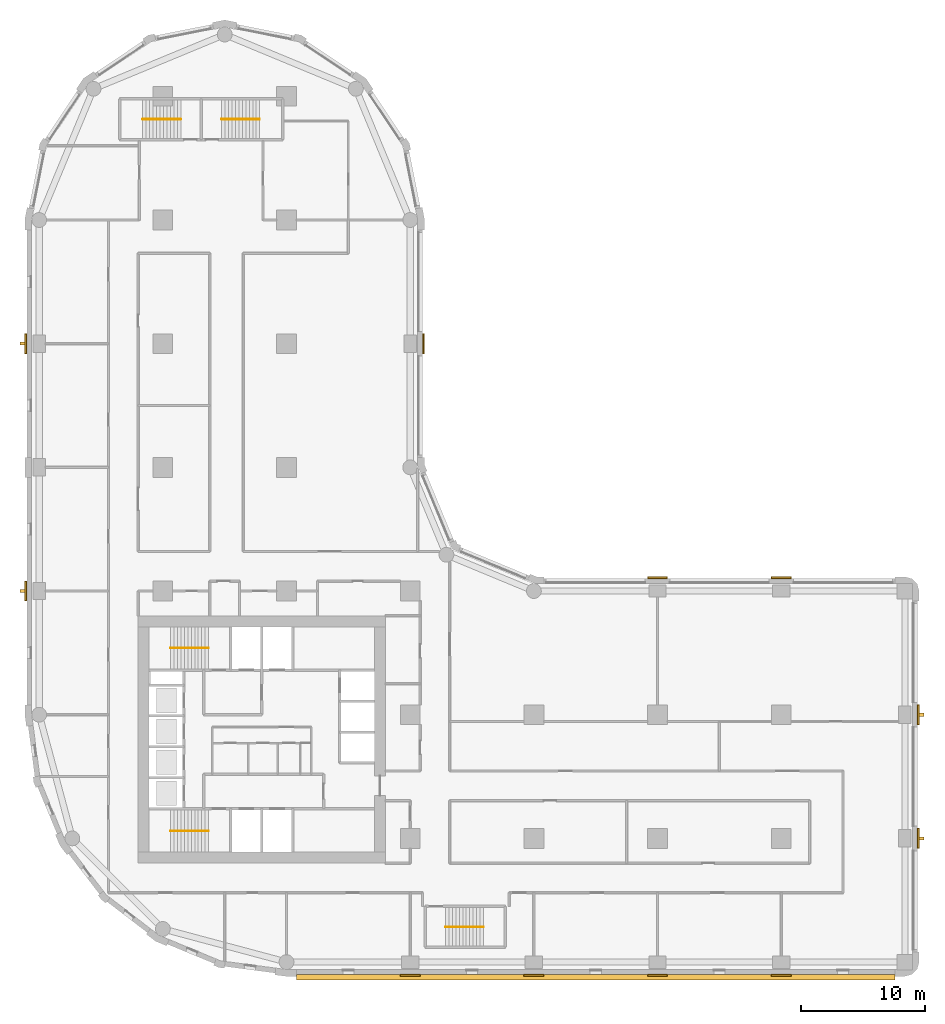
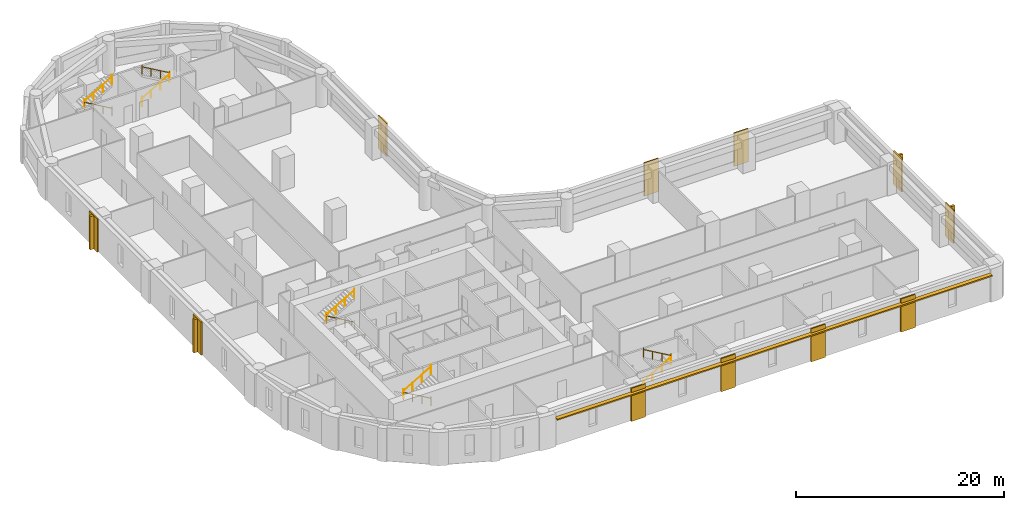
# One storey, part 10 of 11: 11 coverings, 10 railings, 5 shading devices.
"""IFC4 building model written with IfcOpenShell, lengths in metres."""

from ifc_helpers import new_model, si_unit, direction, frame, origin, origin_2d, place, context, subcontext, project, spatial, polyline, rectangle, circle, outline, extrude, material, layer, layer_set, type_object, element, save


model = new_model("IFC4")

# Units and contexts
model_context = context("Model", 3, precision=1e-05, world=origin(), true_north=direction((0.0, 1.0)))
body_context = subcontext(model_context, "Body", "Model", "MODEL_VIEW")
ifc_project = project(units=[si_unit("LENGTHUNIT", "METRE"), si_unit("AREAUNIT", "SQUARE_METRE"), si_unit("VOLUMEUNIT", "CUBIC_METRE"), si_unit("PLANEANGLEUNIT", "RADIAN"), si_unit("MASSUNIT", "GRAM", prefix="KILO")], contexts=[model_context])

# Site, building, storey
site_placement = place(None, origin())
site = spatial("IfcSite", under=ifc_project, at=site_placement, CompositionType="ELEMENT")
building_placement = place(site_placement, origin())
building = spatial("IfcBuilding", under=site, at=building_placement, Name="Qaws Garden Tower", CompositionType="ELEMENT")
storey_placement = place(building_placement, frame((0.0, 0.0, 31.5)))
storey = spatial("IfcBuildingStorey", under=building, at=storey_placement, Name="L07", CompositionType="ELEMENT", Elevation=31.5)

# Coverings
ifc_material_1 = material(Name="Clay facing brick masonry", Category="masonry")
ifc_layer_1 = layer(ifc_material_1, 0.14990234375)
ifc_layer_set_1 = layer_set([ifc_layer_1], Name="Clay facing brick masonry")
covering_type = type_object("IfcCoveringType", Name="Brick pilaster facing 150 x 1600", PredefinedType="CLADDING", material=ifc_layer_set_1)
placement = place(storey_placement, origin())
element("IfcCovering", 1, at=placement, inside=storey, type_object=covering_type, Name="E-L07-pier-01", PredefinedType="CLADDING", context=body_context, shape_type="SweptSolid", body=[
    extrude(outline(polyline([(29.199951171875, -1.0), (30.800048828125, -1.0), (30.800048828125, -1.14990234375), (29.199951171875, -1.14990234375), (29.199951171875, -1.0)])), origin(), (0.0, 0.0, 1.0), 3.89990234375),
])
element("IfcCovering", 2, at=placement, inside=storey, type_object=covering_type, Name="E-L07-pier-02", PredefinedType="CLADDING", context=body_context, shape_type="SweptSolid", body=[
    extrude(outline(polyline([(39.199951171875, -1.0), (40.800048828125, -1.0), (40.800048828125, -1.14990234375), (39.199951171875, -1.14990234375), (39.199951171875, -1.0)])), origin(), (0.0, 0.0, 1.0), 3.89990234375),
])
element("IfcCovering", 3, at=placement, inside=storey, type_object=covering_type, Name="E-L07-pier-03", PredefinedType="CLADDING", context=body_context, shape_type="SweptSolid", body=[
    extrude(outline(polyline([(49.199951171875, -1.0), (50.800048828125, -1.0), (50.800048828125, -1.14990234375), (49.199951171875, -1.14990234375), (49.199951171875, -1.0)])), origin(), (0.0, 0.0, 1.0), 3.89990234375),
])
element("IfcCovering", 4, at=placement, inside=storey, type_object=covering_type, Name="E-L07-pier-04", PredefinedType="CLADDING", context=body_context, shape_type="SweptSolid", body=[
    extrude(outline(polyline([(59.199951171875, -1.0), (60.800048828125, -1.0), (60.800048828125, -1.14990234375), (59.199951171875, -1.14990234375), (59.199951171875, -1.0)])), origin(), (0.0, 0.0, 1.0), 3.89990234375),
])
element("IfcCovering", 5, at=placement, inside=storey, type_object=covering_type, Name="E-L07-pier-06", PredefinedType="CLADDING", context=body_context, shape_type="SweptSolid", body=[
    extrude(outline(polyline([(71.0, 9.199951171875), (71.0, 10.800048828125), (71.14990234375, 10.800048828125), (71.14990234375, 9.199951171875), (71.0, 9.199951171875)])), origin(), (0.0, 0.0, 1.0), 3.89990234375),
])
element("IfcCovering", 6, at=placement, inside=storey, type_object=covering_type, Name="E-L07-pier-07", PredefinedType="CLADDING", context=body_context, shape_type="SweptSolid", body=[
    extrude(outline(polyline([(71.0, 19.199951171875), (71.0, 20.800048828125), (71.14990234375, 20.800048828125), (71.14990234375, 19.199951171875), (71.0, 19.199951171875)])), origin(), (0.0, 0.0, 1.0), 3.89990234375),
])
element("IfcCovering", 7, at=placement, inside=storey, type_object=covering_type, Name="E-L07-pier-09", PredefinedType="CLADDING", context=body_context, shape_type="SweptSolid", body=[
    extrude(outline(polyline([(60.800048828125, 31.0), (59.199951171875, 31.0), (59.199951171875, 31.14990234375), (60.800048828125, 31.14990234375), (60.800048828125, 31.0)])), origin(), (0.0, 0.0, 1.0), 3.89990234375),
])
element("IfcCovering", 8, at=placement, inside=storey, type_object=covering_type, Name="E-L07-pier-10", PredefinedType="CLADDING", context=body_context, shape_type="SweptSolid", body=[
    extrude(outline(polyline([(50.800048828125, 31.0), (49.199951171875, 31.0), (49.199951171875, 31.14990234375), (50.800048828125, 31.14990234375), (50.800048828125, 31.0)])), origin(), (0.0, 0.0, 1.0), 3.89990234375),
])
element("IfcCovering", 9, at=placement, inside=storey, type_object=covering_type, Name="E-L07-pier-14", PredefinedType="CLADDING", context=body_context, shape_type="SweptSolid", body=[
    extrude(outline(polyline([(31.0, 49.199951171875), (31.0, 50.800048828125), (31.14990234375, 50.800048828125), (31.14990234375, 49.199951171875), (31.0, 49.199951171875)])), origin(), (0.0, 0.0, 1.0), 3.89990234375),
])
element("IfcCovering", 10, at=placement, inside=storey, type_object=covering_type, Name="E-L07-pier-24", PredefinedType="CLADDING", context=body_context, shape_type="SweptSolid", body=[
    extrude(outline(polyline([(-1.0, 50.800048828125), (-1.0, 49.199951171875), (-1.14990234375, 49.199951171875), (-1.14990234375, 50.800048828125), (-1.0, 50.800048828125)])), origin(), (0.0, 0.0, 1.0), 3.89990234375),
])
element("IfcCovering", 11, at=placement, inside=storey, type_object=covering_type, Name="E-L07-pier-26", PredefinedType="CLADDING", context=body_context, shape_type="SweptSolid", body=[
    extrude(outline(polyline([(-1.0, 30.800048828125), (-1.0, 29.199951171875), (-1.14990234375, 29.199951171875), (-1.14990234375, 30.800048828125), (-1.0, 30.800048828125)])), origin(), (0.0, 0.0, 1.0), 3.89990234375),
])

# Shading devices
ifc_material_2 = material(Name="Clay facing brick masonry", Category="masonry")
ifc_layer_2 = layer(ifc_material_2, 0.14990234375)
ifc_layer_set_2 = layer_set([ifc_layer_2], Name="Clay facing brick masonry")
shading_device_type_1 = type_object("IfcShadingDeviceType", Name="Brick sunshade band 450 x 150", PredefinedType="JALOUSIE", material=ifc_layer_set_2)
shading_device_placement = place(storey_placement, frame((0.0, 0.0, 3.25)))
element("IfcShadingDevice", 12, at=shading_device_placement, inside=storey, type_object=shading_device_type_1, Name="SUNSHADE 00", PredefinedType="JALOUSIE", context=body_context, shape_type="SweptSolid", body=[
    extrude(outline(polyline([(20.800048828125, -1.0), (20.800048828125, -1.449951171875), (69.199951171875, -1.449951171875), (69.199951171875, -1.0), (60.800048828125, -1.0), (60.800048828125, -1.14990234375), (59.199951171875, -1.14990234375), (59.199951171875, -1.0), (50.800048828125, -1.0), (50.800048828125, -1.14990234375), (49.199951171875, -1.14990234375), (49.199951171875, -1.0), (40.800048828125, -1.0), (40.800048828125, -1.14990234375), (39.199951171875, -1.14990234375), (39.199951171875, -1.0), (30.800048828125, -1.0), (30.800048828125, -1.14990234375), (29.199951171875, -1.14990234375), (29.199951171875, -1.0), (20.800048828125, -1.0)])), origin(), (0.0, 0.0, 1.0), 0.14990234375),
])
ifc_material_3 = material(Name="Clay facing brick masonry", Category="masonry")
ifc_layer_3 = layer(ifc_material_3, 0.25)
ifc_layer_set_3 = layer_set([ifc_layer_3], Name="Clay facing brick masonry")
shading_device_type_2 = type_object("IfcShadingDeviceType", Name="Brick-faced fin 250 x 400", PredefinedType="USERDEFINED", material=ifc_layer_set_3)
for number, where, z_axis, x_axis, name in (
    (13, (71.35009765625, 10.0, 0.0), (0.0, 0.0, 1.0), (0.0, 1.0, 0.0), "FIN 06"),
    (14, (71.35009765625, 20.0, 0.0), (0.0, 0.0, 1.0), (0.0, 1.0, 0.0), "FIN 07"),
    (15, (-1.35009765625, 50.0, 0.0), (0.0, 0.0, 1.0), (0.0, -1.0, 0.0), "FIN 24"),
    (16, (-1.35009765625, 30.0, 0.0), (0.0, 0.0, 1.0), (0.0, -1.0, 0.0), "FIN 26"),
):
    element("IfcShadingDevice", number, at=place(storey_placement, frame(where, z_axis=z_axis, x_axis=x_axis)), inside=storey, type_object=shading_device_type_2, Name=name, ObjectType="FIN", PredefinedType="USERDEFINED", context=body_context, shape_type="SweptSolid", body=[
        extrude(rectangle(XDim=0.25, YDim=0.39990234375, at=origin_2d()), origin(), (0.0, 0.0, 1.0), 3.89990234375),
    ])

# Railings
ifc_material_4 = material(Name="Steel S355", Category="steel")
railing_type = type_object("IfcRailingType", Name="Stair handrail 900", PredefinedType="HANDRAIL", material=ifc_material_4)
railing_1_placement = place(storey_placement, frame((13.699951171875, 10.60009765625, 0.16259765625)))
element("IfcRailing", 17, at=railing_1_placement, inside=storey, type_object=railing_type, Name="Stair 1 handrail", PredefinedType="HANDRAIL", context=body_context, shape_type="SweptSolid", body=[
    extrude(circle(Radius=0.02392578125, at=origin_2d()), frame((0.0, 0.0, 0.8759765625), z_axis=(-0.864903211148, 0.0, 0.501938676878), x_axis=(0.0, -1.0, 0.0)), (0.0, 0.0, 1.0), 3.560791015625),
    extrude(circle(Radius=0.02099609375, at=origin_2d()), origin(), (0.0, 0.0, 1.0), 1.06201171875),
    extrude(circle(Radius=0.02099609375, at=origin_2d()), frame((-1.026611328125, 0.0, 0.595703125)), (0.0, 0.0, 1.0), 0.851806640625),
    extrude(circle(Radius=0.02099609375, at=origin_2d()), frame((-2.05322265625, 0.0, 1.191650390625)), (0.0, 0.0, 1.0), 0.851806640625),
    extrude(circle(Radius=0.02099609375, at=origin_2d()), frame((-3.079833984375, 0.0, 1.787353515625)), (0.0, 0.0, 1.0), 1.06201171875),
])
railing_2_placement = place(storey_placement, frame((10.6201171875, 10.60009765625, 2.112548828125)))
element("IfcRailing", 18, at=railing_2_placement, inside=storey, type_object=railing_type, Name="Stair 1 handrail", PredefinedType="HANDRAIL", context=body_context, shape_type="SweptSolid", body=[
    extrude(circle(Radius=0.02392578125, at=origin_2d()), frame((0.0, 0.0, 0.8759765625), z_axis=(0.864903211148, 0.0, 0.501938676878), x_axis=(0.0, 1.0, 0.0)), (0.0, 0.0, 1.0), 3.560791015625),
    extrude(circle(Radius=0.02099609375, at=origin_2d()), origin(), (0.0, 0.0, 1.0), 1.06201171875),
    extrude(circle(Radius=0.02099609375, at=origin_2d()), frame((1.026611328125, 0.0, 0.595703125)), (0.0, 0.0, 1.0), 0.851806640625),
    extrude(circle(Radius=0.02099609375, at=origin_2d()), frame((2.05322265625, 0.0, 1.191650390625)), (0.0, 0.0, 1.0), 0.851806640625),
    extrude(circle(Radius=0.02099609375, at=origin_2d()), frame((3.079833984375, 0.0, 1.787353515625)), (0.0, 0.0, 1.0), 1.06201171875),
])
railing_3_placement = place(storey_placement, frame((13.699951171875, 25.39990234375, 0.16259765625)))
element("IfcRailing", 19, at=railing_3_placement, inside=storey, type_object=railing_type, Name="Stair 4 handrail", PredefinedType="HANDRAIL", context=body_context, shape_type="SweptSolid", body=[
    extrude(circle(Radius=0.02392578125, at=origin_2d()), frame((0.0, 0.0, 0.8759765625), z_axis=(-0.864903211148, 0.0, 0.501938676878), x_axis=(0.0, -1.0, 0.0)), (0.0, 0.0, 1.0), 3.560791015625),
    extrude(circle(Radius=0.02099609375, at=origin_2d()), origin(), (0.0, 0.0, 1.0), 1.06201171875),
    extrude(circle(Radius=0.02099609375, at=origin_2d()), frame((-1.026611328125, 0.0, 0.595703125)), (0.0, 0.0, 1.0), 0.851806640625),
    extrude(circle(Radius=0.02099609375, at=origin_2d()), frame((-2.05322265625, 0.0, 1.191650390625)), (0.0, 0.0, 1.0), 0.851806640625),
    extrude(circle(Radius=0.02099609375, at=origin_2d()), frame((-3.079833984375, 0.0, 1.787353515625)), (0.0, 0.0, 1.0), 1.06201171875),
])
for number, where, name in (
    (20, (10.6201171875, 25.39990234375, 2.112548828125), "Stair 4 handrail"),
    (21, (32.85009765625, 2.85009765625, 0.16259765625), "Stair 5 handrail"),
):
    element("IfcRailing", number, at=place(storey_placement, frame(where)), inside=storey, type_object=railing_type, Name=name, PredefinedType="HANDRAIL", context=body_context, shape_type="SweptSolid", body=[
        extrude(circle(Radius=0.02392578125, at=origin_2d()), frame((0.0, 0.0, 0.8759765625), z_axis=(0.864903211148, 0.0, 0.501938676878), x_axis=(0.0, 1.0, 0.0)), (0.0, 0.0, 1.0), 3.560791015625),
        extrude(circle(Radius=0.02099609375, at=origin_2d()), origin(), (0.0, 0.0, 1.0), 1.06201171875),
        extrude(circle(Radius=0.02099609375, at=origin_2d()), frame((1.026611328125, 0.0, 0.595703125)), (0.0, 0.0, 1.0), 0.851806640625),
        extrude(circle(Radius=0.02099609375, at=origin_2d()), frame((2.05322265625, 0.0, 1.191650390625)), (0.0, 0.0, 1.0), 0.851806640625),
        extrude(circle(Radius=0.02099609375, at=origin_2d()), frame((3.079833984375, 0.0, 1.787353515625)), (0.0, 0.0, 1.0), 1.06201171875),
    ])
for number, where, name in (
    (22, (35.929931640625, 2.85009765625, 2.112548828125), "Stair 5 handrail"),
    (23, (11.449951171875, 68.14990234375, 0.16259765625), "Stair 6 handrail"),
):
    element("IfcRailing", number, at=place(storey_placement, frame(where)), inside=storey, type_object=railing_type, Name=name, PredefinedType="HANDRAIL", context=body_context, shape_type="SweptSolid", body=[
        extrude(circle(Radius=0.02392578125, at=origin_2d()), frame((0.0, 0.0, 0.8759765625), z_axis=(-0.864903211148, 0.0, 0.501938676878), x_axis=(0.0, -1.0, 0.0)), (0.0, 0.0, 1.0), 3.560791015625),
        extrude(circle(Radius=0.02099609375, at=origin_2d()), origin(), (0.0, 0.0, 1.0), 1.06201171875),
        extrude(circle(Radius=0.02099609375, at=origin_2d()), frame((-1.026611328125, 0.0, 0.595703125)), (0.0, 0.0, 1.0), 0.851806640625),
        extrude(circle(Radius=0.02099609375, at=origin_2d()), frame((-2.05322265625, 0.0, 1.191650390625)), (0.0, 0.0, 1.0), 0.851806640625),
        extrude(circle(Radius=0.02099609375, at=origin_2d()), frame((-3.079833984375, 0.0, 1.787353515625)), (0.0, 0.0, 1.0), 1.06201171875),
    ])
railing_4_placement = place(storey_placement, frame((8.3701171875, 68.14990234375, 2.112548828125)))
element("IfcRailing", 24, at=railing_4_placement, inside=storey, type_object=railing_type, Name="Stair 6 handrail", PredefinedType="HANDRAIL", context=body_context, shape_type="SweptSolid", body=[
    extrude(circle(Radius=0.02392578125, at=origin_2d()), frame((0.0, 0.0, 0.8759765625), z_axis=(0.864903211148, 0.0, 0.501938676878), x_axis=(0.0, 1.0, 0.0)), (0.0, 0.0, 1.0), 3.560791015625),
    extrude(circle(Radius=0.02099609375, at=origin_2d()), origin(), (0.0, 0.0, 1.0), 1.06201171875),
    extrude(circle(Radius=0.02099609375, at=origin_2d()), frame((1.026611328125, 0.0, 0.595703125)), (0.0, 0.0, 1.0), 0.851806640625),
    extrude(circle(Radius=0.02099609375, at=origin_2d()), frame((2.05322265625, 0.0, 1.191650390625)), (0.0, 0.0, 1.0), 0.851806640625),
    extrude(circle(Radius=0.02099609375, at=origin_2d()), frame((3.079833984375, 0.0, 1.787353515625)), (0.0, 0.0, 1.0), 1.06201171875),
])
railing_5_placement = place(storey_placement, frame((14.75, 68.14990234375, 0.16259765625)))
element("IfcRailing", 25, at=railing_5_placement, inside=storey, type_object=railing_type, Name="Stair 7 handrail", PredefinedType="HANDRAIL", context=body_context, shape_type="SweptSolid", body=[
    extrude(circle(Radius=0.02392578125, at=origin_2d()), frame((0.0, 0.0, 0.8759765625), z_axis=(0.864920483161, 0.0, 0.501908913857), x_axis=(0.0, 1.0, 0.0)), (0.0, 0.0, 1.0), 3.56103515625),
    extrude(circle(Radius=0.02099609375, at=origin_2d()), origin(), (0.0, 0.0, 1.0), 1.06201171875),
    extrude(circle(Radius=0.02099609375, at=origin_2d()), frame((1.026611328125, 0.0, 0.595703125)), (0.0, 0.0, 1.0), 0.851806640625),
    extrude(circle(Radius=0.02099609375, at=origin_2d()), frame((2.053466796875, 0.0, 1.191650390625)), (0.0, 0.0, 1.0), 0.851806640625),
    extrude(circle(Radius=0.02099609375, at=origin_2d()), frame((3.080078125, 0.0, 1.787353515625)), (0.0, 0.0, 1.0), 1.06201171875),
])
railing_6_placement = place(storey_placement, frame((17.830078125, 68.14990234375, 2.112548828125)))
element("IfcRailing", 26, at=railing_6_placement, inside=storey, type_object=railing_type, Name="Stair 7 handrail", PredefinedType="HANDRAIL", context=body_context, shape_type="SweptSolid", body=[
    extrude(circle(Radius=0.02392578125, at=origin_2d()), frame((0.0, 0.0, 0.8759765625), z_axis=(-0.864920483161, 0.0, 0.501908913857), x_axis=(0.0, -1.0, 0.0)), (0.0, 0.0, 1.0), 3.56103515625),
    extrude(circle(Radius=0.02099609375, at=origin_2d()), origin(), (0.0, 0.0, 1.0), 1.06201171875),
    extrude(circle(Radius=0.02099609375, at=origin_2d()), frame((-1.026611328125, 0.0, 0.595703125)), (0.0, 0.0, 1.0), 0.851806640625),
    extrude(circle(Radius=0.02099609375, at=origin_2d()), frame((-2.053466796875, 0.0, 1.191650390625)), (0.0, 0.0, 1.0), 0.851806640625),
    extrude(circle(Radius=0.02099609375, at=origin_2d()), frame((-3.080078125, 0.0, 1.787353515625)), (0.0, 0.0, 1.0), 1.06201171875),
])

save(model, "model.ifc")
